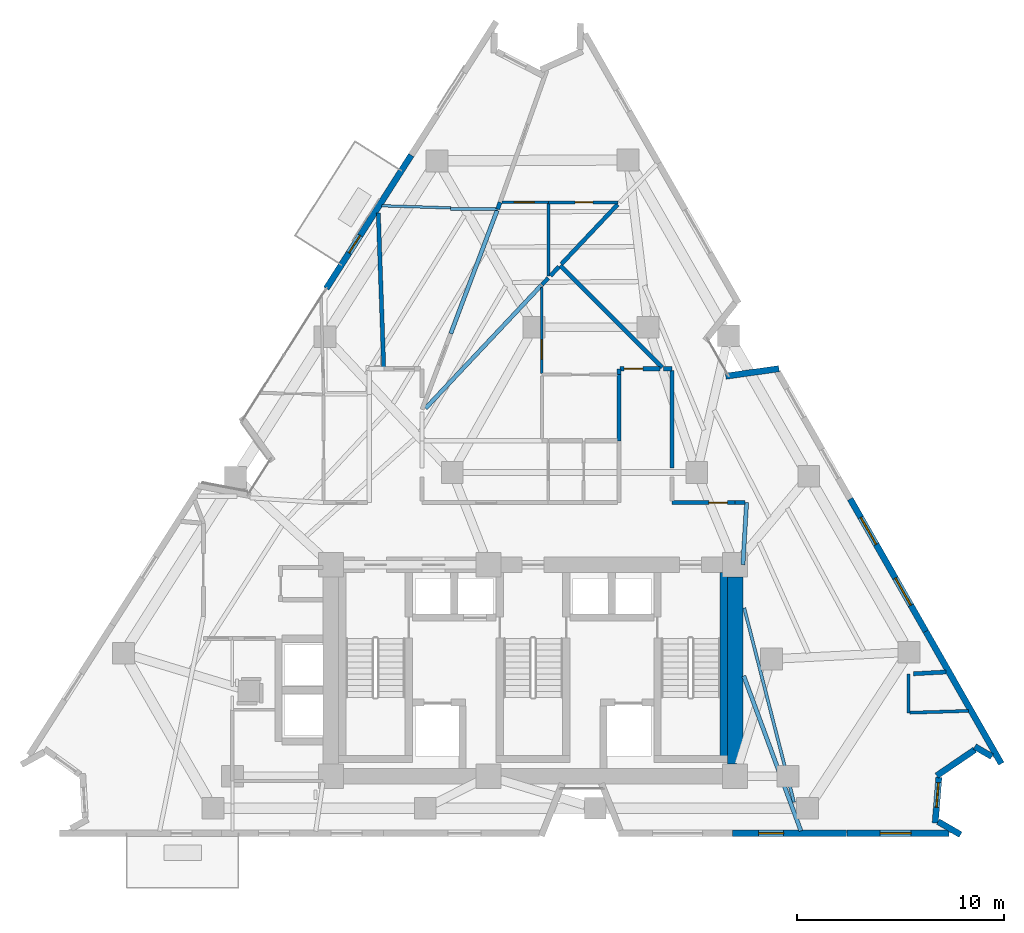
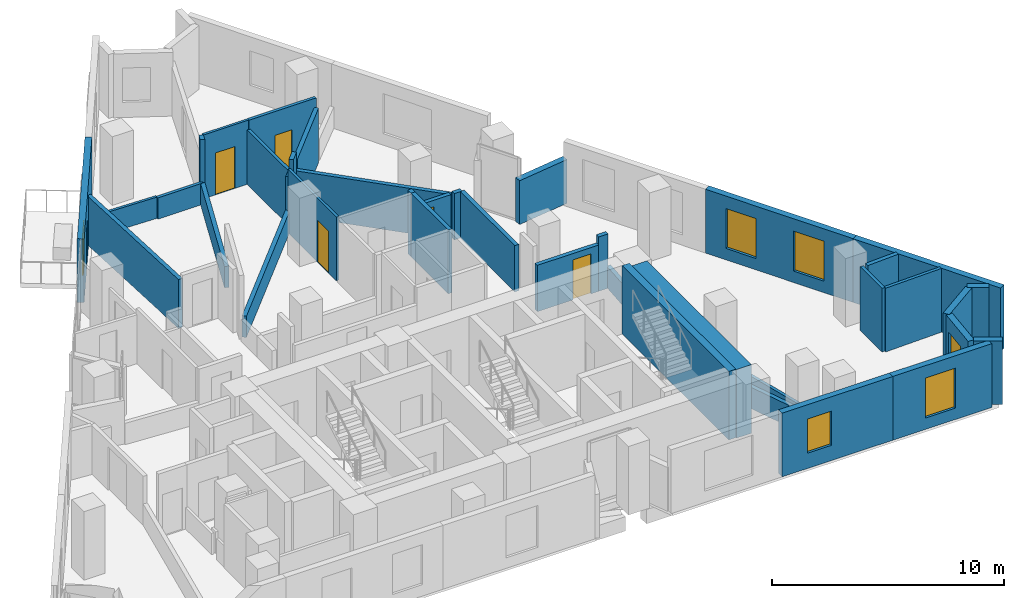
# One storey, part 8 of 11: 39 walls, 6 doors, 5 windows, 11 openings.
"""IFC4 building model written with IfcOpenShell, lengths in metres."""

from ifc_helpers import new_model, si_unit, direction, frame, frame_2d, origin, place, context, subcontext, project, spatial, rectangle, extrude, material, layer, layer_set, type_object, element, fill, save


model = new_model("IFC4")

# Units and contexts
model_context = context("Model", 3, precision=1e-05, world=origin(), true_north=direction((0.0, 1.0)))
body_context = subcontext(model_context, "Body", "Model", "MODEL_VIEW")
ifc_project = project(units=[si_unit("LENGTHUNIT", "METRE"), si_unit("AREAUNIT", "SQUARE_METRE"), si_unit("VOLUMEUNIT", "CUBIC_METRE"), si_unit("PLANEANGLEUNIT", "RADIAN"), si_unit("MASSUNIT", "GRAM", prefix="KILO")], contexts=[model_context])

# Site, building, storey
site_placement = place(None, origin())
site = spatial("IfcSite", under=ifc_project, at=site_placement, CompositionType="ELEMENT")
building_placement = place(site_placement, origin())
building = spatial("IfcBuilding", under=site, at=building_placement, Name="Almagre Mirador Tower", CompositionType="ELEMENT")
storey_placement = place(building_placement, frame((0.0, 0.0, 150.0)))
storey = spatial("IfcBuildingStorey", under=building, at=storey_placement, Name="L38", CompositionType="ELEMENT", Elevation=150.0)

# Wall, opening, door
ifc_material_1 = material(Name="Precast concrete C50/60", Category="concrete")
ifc_layer_1 = layer(ifc_material_1, 0.300048828125)
ifc_layer_set_1 = layer_set([ifc_layer_1], Name="Precast concrete C50/60")
wall_type_1 = type_object("IfcWallType", Name="WAL-EXT-300", PredefinedType="SOLIDWALL", material=ifc_layer_set_1)
wall_1_placement = place(storey_placement, frame((27.327880859375, 28.0693359375, 0.0), z_axis=(0.0, 0.0, 1.0), x_axis=(0.537125937868, 0.843502060975, 0.0)))
wall_1 = element("IfcWall", 1, at=wall_1_placement, inside=storey, type_object=wall_type_1, Name="L38 expressed almagre precast frame wall 03", PredefinedType="SOLIDWALL", context=body_context, shape_type="SweptSolid", body=[
    extrude(rectangle(XDim=7.631591796875, YDim=0.300048828125, at=frame_2d((3.81591796875, 0.0))), origin(), (0.0, 0.0, 1.0), 3.35009765625),
])
opening_1_placement = place(wall_1_placement, frame((2.038330078125, 0.0, 0.0)))
opening_1 = element("IfcOpeningElement", 2, at=opening_1_placement, cuts=wall_1, Name="Opening BD-01", PredefinedType="OPENING", context=body_context, shape_type="SweptSolid", body=[
    extrude(rectangle(XDim=1.0, YDim=2.199951171875, at=frame_2d((0.5, 1.10009765625))), frame((0.0, 0.159902, 0.0), z_axis=(0.0, -1.0, 0.0), x_axis=(1.0, 0.0, 0.0)), (0.0, 0.0, 1.0), 0.320049),
])
ifc_material_2 = material(Name="Black anodized aluminium and laminated glass", Category="aluminium")
door_type_1 = type_object("IfcDoorType", Name="DOR-BAL-1000X2200", OperationType="NOTDEFINED", PredefinedType="DOOR", material=ifc_material_2)
door_1_placement = place(opening_1_placement, origin())
door_1 = element("IfcDoor", 3, at=door_1_placement, inside=storey, type_object=door_type_1, Name="DR-1227 L38 west balcony glazed door 2", OperationType="SINGLE_SWING_RIGHT", OverallHeight=2.199951171875, OverallWidth=1.0, PredefinedType="DOOR", context=body_context, shape_type="SweptSolid", body=[
    extrude(rectangle(XDim=1.0, YDim=2.199951171875, at=frame_2d((0.5, 1.10009765625))), frame((0.0, 0.02490234375, 0.0), z_axis=(0.0, -1.0, 0.0), x_axis=(1.0, 0.0, 0.0)), (0.0, 0.0, 1.0), 0.050048828125),
])
fill(opening_1, door_1)

# Wall
wall_2_placement = place(storey_placement, frame((46.593505859375, 23.843505859375, 0.0), z_axis=(0.0, 0.0, 1.0), x_axis=(0.990207636063, 0.139602426493, 0.0)))
element("IfcWall", 4, at=wall_2_placement, inside=storey, type_object=wall_type_1, Name="L38 expressed almagre precast frame wall 12", PredefinedType="SOLIDWALL", context=body_context, shape_type="SweptSolid", body=[
    extrude(rectangle(XDim=2.593505859375, YDim=0.300048828125, at=frame_2d((1.296875, 0.0))), origin(), (0.0, 0.0, 1.0), 2.300048828125),
])

# Wall, openings, windows
wall_3_placement = place(storey_placement, frame((52.597900390625, 17.922607421875, 0.0), z_axis=(0.0, 0.0, 1.0), x_axis=(0.495698993586, -0.868494391322, 0.0)))
wall_3 = element("IfcWall", 5, at=wall_3_placement, inside=storey, type_object=wall_type_1, Name="L38 expressed almagre precast frame wall 14", PredefinedType="SOLIDWALL", context=body_context, shape_type="SweptSolid", body=[
    extrude(rectangle(XDim=7.351806640625, YDim=0.300048828125, at=frame_2d((3.67578125, 0.0))), origin(), (0.0, 0.0, 1.0), 3.35009765625),
])
opening_2_placement = place(wall_3_placement, frame((1.02490234375, 0.0, 0.60009765625)))
opening_2 = element("IfcOpeningElement", 6, at=opening_2_placement, cuts=wall_3, Name="Opening WN-03", PredefinedType="OPENING", context=body_context, shape_type="SweptSolid", body=[
    extrude(rectangle(XDim=1.5, YDim=2.10009765625, at=frame_2d((0.75, 1.050048828125))), frame((0.0, 0.159902, 0.0), z_axis=(0.0, -1.0, 0.0), x_axis=(1.0, 0.0, 0.0)), (0.0, 0.0, 1.0), 0.320049),
])
opening_3_placement = place(wall_3_placement, frame((4.39990234375, 0.0, 0.60009765625)))
opening_3 = element("IfcOpeningElement", 7, at=opening_3_placement, cuts=wall_3, Name="Opening WN-03", PredefinedType="OPENING", context=body_context, shape_type="SweptSolid", body=[
    extrude(rectangle(XDim=1.5, YDim=2.10009765625, at=frame_2d((0.75, 1.050048828125))), frame((0.0, 0.159902, 0.0), z_axis=(0.0, -1.0, 0.0), x_axis=(1.0, 0.0, 0.0)), (0.0, 0.0, 1.0), 0.320049),
])
ifc_material_3 = material(Name="Dark solar-control laminated hurricane glass", Category="glass")
window_type_1 = type_object("IfcWindowType", Name="WIN-1500X2100", PartitioningType="DOUBLE_PANEL_VERTICAL", PredefinedType="WINDOW", material=ifc_material_3)
window_1_placement = place(opening_2_placement, origin())
window_1 = element("IfcWindow", 8, at=window_1_placement, inside=storey, type_object=window_type_1, Name="L38 recessed hurricane window L38-UE-LV", OverallHeight=2.10009765625, OverallWidth=1.5, PartitioningType="SINGLE_PANEL", PredefinedType="WINDOW", context=body_context, shape_type="SweptSolid", body=[
    extrude(rectangle(XDim=1.5, YDim=2.10009765625, at=frame_2d((0.75, 1.050048828125))), frame((0.0, 0.030029296875, 0.0), z_axis=(0.0, -1.0, 0.0), x_axis=(1.0, 0.0, 0.0)), (0.0, 0.0, 1.0), 0.06005859375),
])
fill(opening_2, window_1)
window_2_placement = place(opening_3_placement, origin())
window_2 = element("IfcWindow", 9, at=window_2_placement, inside=storey, type_object=window_type_1, Name="L38 recessed hurricane window L38-UE-MB", OverallHeight=2.10009765625, OverallWidth=1.5, PartitioningType="SINGLE_PANEL", PredefinedType="WINDOW", context=body_context, shape_type="SweptSolid", body=[
    extrude(rectangle(XDim=1.5, YDim=2.10009765625, at=frame_2d((0.75, 1.050048828125))), frame((0.0, 0.030029296875, 0.0), z_axis=(0.0, -1.0, 0.0), x_axis=(1.0, 0.0, 0.0)), (0.0, 0.0, 1.0), 0.06005859375),
])
fill(opening_3, window_2)

# Walls
wall_4_placement = place(storey_placement, frame((56.2421875, 11.53759765625, 0.0), z_axis=(0.0, 0.0, 1.0), x_axis=(0.495684697404, -0.868502550808, 0.0)))
element("IfcWall", 10, at=wall_4_placement, inside=storey, type_object=wall_type_1, Name="L38 expressed almagre precast frame wall 15", PredefinedType="SOLIDWALL", context=body_context, shape_type="SweptSolid", body=[
    extrude(rectangle(XDim=7.35205078125, YDim=0.300048828125, at=frame_2d((3.676025390625, 0.0))), origin(), (0.0, 0.0, 1.0), 3.35009765625),
])
wall_5_placement = place(storey_placement, frame((59.432373046875, 5.49755859375, 0.0), z_axis=(0.0, 0.0, 1.0), x_axis=(-0.864584698218, 0.502487113871, 0.0)))
element("IfcWall", 11, at=wall_5_placement, inside=storey, type_object=wall_type_1, Name="L38 expressed almagre precast frame wall 16", PredefinedType="SOLIDWALL", context=body_context, shape_type="SweptSolid", body=[
    extrude(rectangle(XDim=0.954833984375, YDim=0.300048828125, at=frame_2d((0.4775390625, 0.0))), origin(), (0.0, 0.0, 1.0), 3.35009765625),
])
wall_6_placement = place(storey_placement, frame((58.6083984375, 5.8251953125, 0.0), z_axis=(0.0, 0.0, 1.0), x_axis=(-0.8261738865, -0.563415219234, 0.0)))
element("IfcWall", 12, at=wall_6_placement, inside=storey, type_object=wall_type_1, Name="L38 expressed almagre precast frame wall 17", PredefinedType="SOLIDWALL", context=body_context, shape_type="SweptSolid", body=[
    extrude(rectangle(XDim=2.222412109375, YDim=0.300048828125, at=frame_2d((1.111328125, 0.0))), origin(), (0.0, 0.0, 1.0), 3.35009765625),
])

# Wall, opening, window
wall_7_placement = place(storey_placement, frame((56.8759765625, 4.50244140625, 0.0), z_axis=(0.0, 0.0, 1.0), x_axis=(-0.079981668757, -0.996796334595, 0.0)))
wall_7 = element("IfcWall", 13, at=wall_7_placement, inside=storey, type_object=wall_type_1, Name="L38 expressed almagre precast frame wall 18", PredefinedType="SOLIDWALL", context=body_context, shape_type="SweptSolid", body=[
    extrude(rectangle(XDim=2.216064453125, YDim=0.300048828125, at=frame_2d((1.10791015625, 0.0))), origin(), (0.0, 0.0, 1.0), 3.35009765625),
])
opening_4_placement = place(wall_7_placement, frame((0.260009765625, 0.0, 0.800048828125)))
opening_4 = element("IfcOpeningElement", 14, at=opening_4_placement, cuts=wall_7, Name="Opening WN-04", PredefinedType="OPENING", context=body_context, shape_type="SweptSolid", body=[
    extrude(rectangle(XDim=1.199951171875, YDim=1.800048828125, at=frame_2d((0.60009765625, 0.89990234375))), frame((0.0, 0.159902, 0.0), z_axis=(0.0, -1.0, 0.0), x_axis=(1.0, 0.0, 0.0)), (0.0, 0.0, 1.0), 0.320049),
])
ifc_material_4 = material(Name="Dark solar-control laminated hurricane glass", Category="glass")
window_type_2 = type_object("IfcWindowType", Name="WIN-1200X1800", PartitioningType="SINGLE_PANEL", PredefinedType="WINDOW", material=ifc_material_4)
window_3_placement = place(opening_4_placement, origin())
window_3 = element("IfcWindow", 15, at=window_3_placement, inside=storey, type_object=window_type_2, Name="L38 recessed hurricane window L38-UD-ST", OverallHeight=1.800048828125, OverallWidth=1.199951171875, PartitioningType="SINGLE_PANEL", PredefinedType="WINDOW", context=body_context, shape_type="SweptSolid", body=[
    extrude(rectangle(XDim=1.199951171875, YDim=1.800048828125, at=frame_2d((0.60009765625, 0.89990234375))), frame((0.0, 0.030029296875, 0.0), z_axis=(0.0, -1.0, 0.0), x_axis=(1.0, 0.0, 0.0)), (0.0, 0.0, 1.0), 0.06005859375),
])
fill(opening_4, window_3)

# Wall
wall_8_placement = place(storey_placement, frame((56.83544921875, 2.360107421875, 0.0), z_axis=(0.0, 0.0, 1.0), x_axis=(0.864799842676, -0.502116751471, 0.0)))
element("IfcWall", 16, at=wall_8_placement, inside=storey, type_object=wall_type_1, Name="L38 expressed almagre precast frame wall 19", PredefinedType="SOLIDWALL", context=body_context, shape_type="SweptSolid", body=[
    extrude(rectangle(XDim=1.25537109375, YDim=0.300048828125, at=frame_2d((0.627685546875, 0.0))), origin(), (0.0, 0.0, 1.0), 3.35009765625),
])

# Wall, opening, window
wall_9_placement = place(storey_placement, frame((57.35498046875, 1.800048828125, 0.0), z_axis=(0.0, 0.0, 1.0), x_axis=(-1.0, 0.0, 0.0)))
wall_9 = element("IfcWall", 17, at=wall_9_placement, inside=storey, type_object=wall_type_1, Name="L38 expressed almagre precast frame wall 20", PredefinedType="SOLIDWALL", context=body_context, shape_type="SweptSolid", body=[
    extrude(rectangle(XDim=4.923095703125, YDim=0.300048828125, at=frame_2d((2.46142578125, 0.0))), origin(), (0.0, 0.0, 1.0), 3.35009765625),
])
opening_5_placement = place(wall_9_placement, frame((1.81494140625, 0.0, 0.60009765625)))
opening_5 = element("IfcOpeningElement", 18, at=opening_5_placement, cuts=wall_9, Name="Opening WN-03", PredefinedType="OPENING", context=body_context, shape_type="SweptSolid", body=[
    extrude(rectangle(XDim=1.5, YDim=2.10009765625, at=frame_2d((0.75, 1.050048828125))), frame((0.0, 0.159902, 0.0), z_axis=(0.0, -1.0, 0.0), x_axis=(1.0, 0.0, 0.0)), (0.0, 0.0, 1.0), 0.320049),
])
window_4_placement = place(opening_5_placement, origin())
window_4 = element("IfcWindow", 19, at=window_4_placement, inside=storey, type_object=window_type_1, Name="L38 recessed hurricane window L38-UD-ST", OverallHeight=2.10009765625, OverallWidth=1.5, PartitioningType="SINGLE_PANEL", PredefinedType="WINDOW", context=body_context, shape_type="SweptSolid", body=[
    extrude(rectangle(XDim=1.5, YDim=2.10009765625, at=frame_2d((0.75, 1.050048828125))), frame((0.0, 0.030029296875, 0.0), z_axis=(0.0, -1.0, 0.0), x_axis=(1.0, 0.0, 0.0)), (0.0, 0.0, 1.0), 0.06005859375),
])
fill(opening_5, window_4)

wall_10_placement = place(storey_placement, frame((52.431884765625, 1.800048828125, 0.0), z_axis=(0.0, 0.0, 1.0), x_axis=(-1.0, 0.0, 0.0)))
wall_10 = element("IfcWall", 20, at=wall_10_placement, inside=storey, type_object=wall_type_1, Name="L38 expressed almagre precast frame wall 21", PredefinedType="SOLIDWALL", context=body_context, shape_type="SweptSolid", body=[
    extrude(rectangle(XDim=5.5078125, YDim=0.300048828125, at=frame_2d((2.75390625, 0.0))), origin(), (0.0, 0.0, 1.0), 3.35009765625),
])
opening_6_placement = place(wall_10_placement, frame((3.050048828125, 0.0, 0.800048828125)))
opening_6 = element("IfcOpeningElement", 21, at=opening_6_placement, cuts=wall_10, Name="Opening WN-04", PredefinedType="OPENING", context=body_context, shape_type="SweptSolid", body=[
    extrude(rectangle(XDim=1.199951171875, YDim=1.800048828125, at=frame_2d((0.60009765625, 0.89990234375))), frame((0.0, 0.159902, 0.0), z_axis=(0.0, -1.0, 0.0), x_axis=(1.0, 0.0, 0.0)), (0.0, 0.0, 1.0), 0.320049),
])
window_5_placement = place(opening_6_placement, origin())
window_5 = element("IfcWindow", 22, at=window_5_placement, inside=storey, type_object=window_type_2, Name="L38 recessed hurricane window L38-RST-C", OverallHeight=1.800048828125, OverallWidth=1.199951171875, PartitioningType="SINGLE_PANEL", PredefinedType="WINDOW", context=body_context, shape_type="SweptSolid", body=[
    extrude(rectangle(XDim=1.199951171875, YDim=1.800048828125, at=frame_2d((0.60009765625, 0.89990234375))), frame((0.0, 0.030029296875, 0.0), z_axis=(0.0, -1.0, 0.0), x_axis=(1.0, 0.0, 0.0)), (0.0, 0.0, 1.0), 0.06005859375),
])
fill(opening_6, window_5)

# Wall, opening, door
ifc_material_5 = material(Name="Gypsum acoustic stud partition", Category="other")
ifc_layer_2 = layer(ifc_material_5, 0.125)
ifc_layer_set_2 = layer_set([ifc_layer_2], Name="Gypsum acoustic stud partition")
wall_type_2 = type_object("IfcWallType", Name="WAL-PRT-125-UTL", PredefinedType="PARTITIONING", material=ifc_layer_set_2)
wall_11_placement = place(storey_placement, frame((37.72998046875, 28.1298828125, 0.0), z_axis=(0.0, 0.0, 1.0), x_axis=(0.0, -1.0, 0.0)))
wall_11 = element("IfcWall", 23, at=wall_11_placement, inside=storey, type_object=wall_type_2, Name="L38 interior partition 066", PredefinedType="PARTITIONING", context=body_context, shape_type="SweptSolid", body=[
    extrude(rectangle(XDim=4.14990234375, YDim=0.125, at=frame_2d((2.074951171875, 0.0))), origin(), (0.0, 0.0, 1.0), 3.35009765625),
])
opening_7_placement = place(wall_11_placement, frame((2.52197265625, 0.0, 0.0)))
opening_7 = element("IfcOpeningElement", 24, at=opening_7_placement, cuts=wall_11, Name="Opening UD-01", PredefinedType="OPENING", context=body_context, shape_type="SweptSolid", body=[
    extrude(rectangle(XDim=0.949951171875, YDim=2.199951171875, at=frame_2d((0.47509765625, 1.10009765625))), frame((0.0, 0.0725, 0.0), z_axis=(0.0, -1.0, 0.0), x_axis=(1.0, 0.0, 0.0)), (0.0, 0.0, 1.0), 0.145),
])
ifc_material_6 = material(Name="Solid American walnut timber", Category="wood")
door_type_2 = type_object("IfcDoorType", Name="DOR-UNR-950X2200", OperationType="NOTDEFINED", PredefinedType="DOOR", material=ifc_material_6)
door_2_placement = place(opening_7_placement, origin())
door_2 = element("IfcDoor", 25, at=door_2_placement, inside=storey, type_object=door_type_2, Name="DR-1242 L38 interior door L38-UH-ST to L38-UH-KT", OperationType="SINGLE_SWING_LEFT", OverallHeight=2.199951171875, OverallWidth=0.949951171875, PredefinedType="DOOR", context=body_context, shape_type="SweptSolid", body=[
    extrude(rectangle(XDim=0.949951171875, YDim=2.199951171875, at=frame_2d((0.47509765625, 1.10009765625))), frame((0.0, 0.02490234375, 0.0), z_axis=(0.0, -1.0, 0.0), x_axis=(1.0, 0.0, 0.0)), (0.0, 0.0, 1.0), 0.050048828125),
])
fill(opening_7, door_2)

wall_12_placement = place(storey_placement, frame((35.794921875, 32.22998046875, 0.0), z_axis=(0.0, 0.0, 1.0), x_axis=(1.0, 0.0, 0.0)))
wall_12 = element("IfcWall", 26, at=wall_12_placement, inside=storey, type_object=wall_type_2, Name="L38 interior partition 082", PredefinedType="PARTITIONING", context=body_context, shape_type="SweptSolid", body=[
    extrude(rectangle(XDim=2.2451171875, YDim=0.125, at=frame_2d((1.12255859375, 0.0))), origin(), (0.0, 0.0, 1.0), 3.35009765625),
])
opening_8_placement = place(wall_12_placement, frame((0.60498046875, 0.0, 0.0)))
opening_8 = element("IfcOpeningElement", 27, at=opening_8_placement, cuts=wall_12, Name="Opening UD-01", PredefinedType="OPENING", context=body_context, shape_type="SweptSolid", body=[
    extrude(rectangle(XDim=0.949951171875, YDim=2.199951171875, at=frame_2d((0.47509765625, 1.10009765625))), frame((0.0, 0.0725, 0.0), z_axis=(0.0, -1.0, 0.0), x_axis=(1.0, 0.0, 0.0)), (0.0, 0.0, 1.0), 0.145),
])
door_3_placement = place(opening_8_placement, origin())
door_3 = element("IfcDoor", 28, at=door_3_placement, inside=storey, type_object=door_type_2, Name="DR-1245 L38 interior door L38-UL-ST to L38-UL-KT", OperationType="SINGLE_SWING_RIGHT", OverallHeight=2.199951171875, OverallWidth=0.949951171875, PredefinedType="DOOR", context=body_context, shape_type="SweptSolid", body=[
    extrude(rectangle(XDim=0.949951171875, YDim=2.199951171875, at=frame_2d((0.47509765625, 1.10009765625))), frame((0.0, 0.02490234375, 0.0), z_axis=(0.0, -1.0, 0.0), x_axis=(1.0, 0.0, 0.0)), (0.0, 0.0, 1.0), 0.050048828125),
])
fill(opening_8, door_3)

# Walls
wall_13_placement = place(storey_placement, frame((33.330078125, 31.9599609375, 0.0), z_axis=(0.0, 0.0, 1.0), x_axis=(-0.999502585392, 0.03153699088, 0.0)))
element("IfcWall", 29, at=wall_13_placement, inside=storey, type_object=wall_type_2, Name="L38 interior partition 086", PredefinedType="PARTITIONING", context=body_context, shape_type="SweptSolid", body=[
    extrude(rectangle(XDim=3.328857421875, YDim=0.125, at=frame_2d((1.66455078125, 0.0))), origin(), (0.0, 0.0, 1.0), 1.1201171875),
])
ifc_material_7 = material(Name="Gypsum acoustic stud partition", Category="other")
ifc_layer_3 = layer(ifc_material_7, 0.14990234375)
ifc_layer_set_3 = layer_set([ifc_layer_3], Name="Gypsum acoustic stud partition")
wall_type_3 = type_object("IfcWallType", Name="WAL-PRT-150-STD", PredefinedType="PARTITIONING", material=ifc_layer_set_3)
wall_14_placement = place(storey_placement, frame((55.409912109375, 7.610107421875, 0.0), z_axis=(0.0, 0.0, 1.0), x_axis=(0.0, 1.0, 0.0)))
element("IfcWall", 30, at=wall_14_placement, inside=storey, type_object=wall_type_3, Name="L38 interior partition 043", PredefinedType="PARTITIONING", context=body_context, shape_type="SweptSolid", body=[
    extrude(rectangle(XDim=1.8798828125, YDim=0.14990234375, at=frame_2d((0.93994140625, 0.0))), origin(), (0.0, 0.0, 1.0), 3.35009765625),
])
wall_15_placement = place(storey_placement, frame((58.297119140625, 7.698974609375, 0.0), z_axis=(0.0, 0.0, 1.0), x_axis=(-0.999522462189, -0.030900608071, 0.0)))
element("IfcWall", 31, at=wall_15_placement, inside=storey, type_object=wall_type_3, Name="L38 interior partition 046", PredefinedType="PARTITIONING", context=body_context, shape_type="SweptSolid", body=[
    extrude(rectangle(XDim=2.82861328125, YDim=0.14990234375, at=frame_2d((1.414306640625, 0.0))), origin(), (0.0, 0.0, 1.0), 3.35009765625),
])
wall_16_placement = place(storey_placement, frame((35.590087890625, 31.89990234375, 0.0), z_axis=(0.0, 0.0, 1.0), x_axis=(-1.0, 0.0, 0.0)))
element("IfcWall", 32, at=wall_16_placement, inside=storey, type_object=wall_type_3, Name="L38 interior partition 077", PredefinedType="PARTITIONING", context=body_context, shape_type="SweptSolid", body=[
    extrude(rectangle(XDim=2.260009765625, YDim=0.14990234375, at=frame_2d((1.1298828125, 0.0))), origin(), (0.0, 0.0, 1.0), 1.1201171875),
])

# Wall, opening, door
wall_17_placement = place(storey_placement, frame((38.0400390625, 32.22998046875, 0.0), z_axis=(0.0, 0.0, 1.0), x_axis=(1.0, 0.0, 0.0)))
wall_17 = element("IfcWall", 33, at=wall_17_placement, inside=storey, type_object=wall_type_3, Name="L38 interior partition 081", PredefinedType="PARTITIONING", context=body_context, shape_type="SweptSolid", body=[
    extrude(rectangle(XDim=3.35498046875, YDim=0.14990234375, at=frame_2d((1.677490234375, 0.0))), origin(), (0.0, 0.0, 1.0), 3.35009765625),
])
opening_9_placement = place(wall_17_placement, frame((1.294921875, 0.0, 0.0)))
opening_9 = element("IfcOpeningElement", 34, at=opening_9_placement, cuts=wall_17, Name="Opening UD-04", PredefinedType="OPENING", context=body_context, shape_type="SweptSolid", body=[
    extrude(rectangle(XDim=0.85009765625, YDim=2.10009765625, at=frame_2d((0.425048828125, 1.050048828125))), frame((0.0, 0.084951, 0.0), z_axis=(0.0, -1.0, 0.0), x_axis=(1.0, 0.0, 0.0)), (0.0, 0.0, 1.0), 0.169902),
])
ifc_material_8 = material(Name="Moisture-resistant oak timber", Category="wood")
door_type_3 = type_object("IfcDoorType", Name="DOR-UNR-850X2100", OperationType="NOTDEFINED", PredefinedType="DOOR", material=ifc_material_8)
door_4_placement = place(opening_9_placement, origin())
door_4 = element("IfcDoor", 35, at=door_4_placement, inside=storey, type_object=door_type_3, Name="DR-1246 L38 interior door L38-UL-ST to L38-UL-BT", OperationType="SINGLE_SWING_LEFT", OverallHeight=2.10009765625, OverallWidth=0.85009765625, PredefinedType="DOOR", context=body_context, shape_type="SweptSolid", body=[
    extrude(rectangle(XDim=0.85009765625, YDim=2.10009765625, at=frame_2d((0.425048828125, 1.050048828125))), frame((0.0, 0.02490234375, 0.0), z_axis=(0.0, -1.0, 0.0), x_axis=(1.0, 0.0, 0.0)), (0.0, 0.0, 1.0), 0.050048828125),
])
fill(opening_9, door_4)

# Walls
wall_18_placement = place(storey_placement, frame((38.0400390625, 32.169921875, 0.0), z_axis=(0.0, 0.0, 1.0), x_axis=(0.0, -1.0, 0.0)))
element("IfcWall", 36, at=wall_18_placement, inside=storey, type_object=wall_type_3, Name="L38 interior partition 083", PredefinedType="PARTITIONING", context=body_context, shape_type="SweptSolid", body=[
    extrude(rectangle(XDim=3.5048828125, YDim=0.14990234375, at=frame_2d((1.75244140625, 0.0))), origin(), (0.0, 0.0, 1.0), 2.860107421875),
])
wall_19_placement = place(storey_placement, frame((49.885009765625, 3.301025390625, 0.0), z_axis=(0.0, 0.0, 1.0), x_axis=(-0.248241680516, 0.96869813051, 0.0)))
element("IfcWall", 37, at=wall_19_placement, inside=storey, type_object=wall_type_3, Name="L38 interior partition 085", PredefinedType="PARTITIONING", context=body_context, shape_type="SweptSolid", body=[
    extrude(rectangle(XDim=9.667724609375, YDim=0.14990234375, at=frame_2d((4.833984375, 0.0))), origin(), (0.0, 0.0, 1.0), 1.1201171875),
])
ifc_material_9 = material(Name="Gypsum acoustic stud partition", Category="other")
ifc_layer_4 = layer(ifc_material_9, 0.199951171875)
ifc_layer_set_4 = layer_set([ifc_layer_4], Name="Gypsum acoustic stud partition")
wall_type_4 = type_object("IfcWallType", Name="WAL-PRT-200-EI60", PredefinedType="PARTITIONING", material=ifc_layer_set_4)
wall_20_placement = place(storey_placement, frame((47.425048828125, 14.75, 0.0), z_axis=(0.0, 0.0, 1.0), x_axis=(0.058250531515, 0.998301996181, 0.0)))
element("IfcWall", 38, at=wall_20_placement, inside=storey, type_object=wall_type_4, Name="L38 interior partition 005", PredefinedType="PARTITIONING", context=body_context, shape_type="SweptSolid", body=[
    extrude(rectangle(XDim=3.005126953125, YDim=0.199951171875, at=frame_2d((1.50244140625, 0.0))), origin(), (0.0, 0.0, 1.0), 1.1201171875),
])
wall_21_placement = place(storey_placement, frame((47.514892578125, 17.75, 0.0), z_axis=(0.0, 0.0, 1.0), x_axis=(-1.0, 0.0, 0.0)))
element("IfcWall", 39, at=wall_21_placement, inside=storey, type_object=wall_type_4, Name="L38 interior partition 006", PredefinedType="PARTITIONING", context=body_context, shape_type="SweptSolid", body=[
    extrude(rectangle(XDim=0.46484375, YDim=0.199951171875, at=frame_2d((0.232421875, 0.0))), origin(), (0.0, 0.0, 1.0), 2.860107421875),
])

# Wall, opening, door
wall_22_placement = place(storey_placement, frame((47.050048828125, 17.75, 0.0), z_axis=(0.0, 0.0, 1.0), x_axis=(-1.0, 0.0, 0.0)))
wall_22 = element("IfcWall", 40, at=wall_22_placement, inside=storey, type_object=wall_type_4, Name="L38 interior partition 007", PredefinedType="PARTITIONING", context=body_context, shape_type="SweptSolid", body=[
    extrude(rectangle(XDim=3.050048828125, YDim=0.199951171875, at=frame_2d((1.52490234375, 0.0))), origin(), (0.0, 0.0, 1.0), 2.43603515625),
])
opening_10_placement = place(wall_22_placement, frame((0.373779296875, 0.0, 0.0)))
opening_10 = element("IfcOpeningElement", 41, at=opening_10_placement, cuts=wall_22, Name="Opening ID-03", PredefinedType="OPENING", context=body_context, shape_type="SweptSolid", body=[
    extrude(rectangle(XDim=0.89990234375, YDim=2.10009765625, at=frame_2d((0.449951171875, 1.050048828125))), frame((0.0, 0.110098, 0.0), z_axis=(0.0, -1.0, 0.0), x_axis=(1.0, 0.0, 0.0)), (0.0, 0.0, 1.0), 0.219951),
])
ifc_material_10 = material(Name="Fire-rated hollow steel", Category="steel")
door_type_4 = type_object("IfcDoorType", Name="DOR-FD60-900X2100", OperationType="NOTDEFINED", PredefinedType="DOOR", material=ifc_material_10)
door_5_placement = place(opening_10_placement, origin())
door_5 = element("IfcDoor", 42, at=door_5_placement, inside=storey, type_object=door_type_4, Name="DR-1251 L38 interior door L38-RCOR to L38-RST-J", OperationType="SINGLE_SWING_LEFT", OverallHeight=2.10009765625, OverallWidth=0.89990234375, PredefinedType="DOOR", context=body_context, shape_type="SweptSolid", body=[
    extrude(rectangle(XDim=0.89990234375, YDim=2.10009765625, at=frame_2d((0.449951171875, 1.050048828125))), frame((0.0, 0.02490234375, 0.0), z_axis=(0.0, -1.0, 0.0), x_axis=(1.0, 0.0, 0.0)), (0.0, 0.0, 1.0), 0.050048828125),
])
fill(opening_10, door_5)

wall_23_placement = place(storey_placement, frame((43.429931640625, 24.199951171875, 0.0), z_axis=(0.0, 0.0, 1.0), x_axis=(-1.0, 0.0, 0.0)))
wall_23 = element("IfcWall", 43, at=wall_23_placement, inside=storey, type_object=wall_type_4, Name="L38 interior partition 022", PredefinedType="PARTITIONING", context=body_context, shape_type="SweptSolid", body=[
    extrude(rectangle(XDim=1.934814453125, YDim=0.199951171875, at=frame_2d((0.96728515625, 0.0))), origin(), (0.0, 0.0, 1.0), 2.43603515625),
])
opening_11_placement = place(wall_23_placement, frame((0.832275390625, 0.0, 0.0)))
opening_11 = element("IfcOpeningElement", 44, at=opening_11_placement, cuts=wall_23, Name="Opening ID-03", PredefinedType="OPENING", context=body_context, shape_type="SweptSolid", body=[
    extrude(rectangle(XDim=0.89990234375, YDim=2.10009765625, at=frame_2d((0.449951171875, 1.050048828125))), frame((0.0, 0.110098, 0.0), z_axis=(0.0, -1.0, 0.0), x_axis=(1.0, 0.0, 0.0)), (0.0, 0.0, 1.0), 0.219951),
])
door_6_placement = place(opening_11_placement, origin())
door_6 = element("IfcDoor", 45, at=door_6_placement, inside=storey, type_object=door_type_4, Name="DR-1241 L38 interior door L38-RCOR to L38-UH-ST", OperationType="SINGLE_SWING_RIGHT", OverallHeight=2.10009765625, OverallWidth=0.89990234375, PredefinedType="DOOR", context=body_context, shape_type="SweptSolid", body=[
    extrude(rectangle(XDim=0.89990234375, YDim=2.10009765625, at=frame_2d((0.449951171875, 1.050048828125))), frame((0.0, 0.02490234375, 0.0), z_axis=(0.0, -1.0, 0.0), x_axis=(1.0, 0.0, 0.0)), (0.0, 0.0, 1.0), 0.050048828125),
])
fill(opening_11, door_6)

# Walls
wall_24_placement = place(storey_placement, frame((41.449951171875, 24.199951171875, 0.0), z_axis=(0.0, 0.0, 1.0), x_axis=(0.0, -1.0, 0.0)))
element("IfcWall", 46, at=wall_24_placement, inside=storey, type_object=wall_type_4, Name="L38 interior partition 023", PredefinedType="PARTITIONING", context=body_context, shape_type="SweptSolid", body=[
    extrude(rectangle(XDim=0.280029296875, YDim=0.199951171875, at=frame_2d((0.14013671875, 0.0))), origin(), (0.0, 0.0, 1.0), 3.35009765625),
])
wall_25_placement = place(storey_placement, frame((41.449951171875, 23.919921875, 0.0), z_axis=(0.0, 0.0, 1.0), x_axis=(0.0, -1.0, 0.0)))
element("IfcWall", 47, at=wall_25_placement, inside=storey, type_object=wall_type_4, Name="L38 interior partition 024", PredefinedType="PARTITIONING", context=body_context, shape_type="SweptSolid", body=[
    extrude(rectangle(XDim=3.18994140625, YDim=0.199951171875, at=frame_2d((1.594970703125, 0.0))), origin(), (0.0, 0.0, 1.0), 3.35009765625),
])
wall_26_placement = place(storey_placement, frame((44.0, 24.199951171875, 0.0), z_axis=(0.0, 0.0, 1.0), x_axis=(-1.0, 0.0, 0.0)))
element("IfcWall", 48, at=wall_26_placement, inside=storey, type_object=wall_type_4, Name="L38 interior partition 027", PredefinedType="PARTITIONING", context=body_context, shape_type="SweptSolid", body=[
    extrude(rectangle(XDim=0.39990234375, YDim=0.199951171875, at=frame_2d((0.199951171875, 0.0))), origin(), (0.0, 0.0, 1.0), 2.43603515625),
])
wall_27_placement = place(storey_placement, frame((50.222900390625, 1.906982421875, 0.0), z_axis=(0.0, 0.0, 1.0), x_axis=(-0.346155169052, 0.938177274793, 0.0)))
element("IfcWall", 49, at=wall_27_placement, inside=storey, type_object=wall_type_4, Name="L38 interior partition 040", PredefinedType="PARTITIONING", context=body_context, shape_type="SweptSolid", body=[
    extrude(rectangle(XDim=7.97265625, YDim=0.199951171875, at=frame_2d((3.986328125, 0.0))), origin(), (0.0, 0.0, 1.0), 1.1201171875),
])
wall_28_placement = place(storey_placement, frame((57.22607421875, 9.575927734375, 0.0), z_axis=(0.0, 0.0, 1.0), x_axis=(-0.998516931133, -0.05444206316, 0.0)))
element("IfcWall", 50, at=wall_28_placement, inside=storey, type_object=wall_type_4, Name="L38 interior partition 047", PredefinedType="PARTITIONING", context=body_context, shape_type="SweptSolid", body=[
    extrude(rectangle(XDim=1.57861328125, YDim=0.199951171875, at=frame_2d((0.789306640625, 0.0))), origin(), (0.0, 0.0, 1.0), 3.35009765625),
])
wall_29_placement = place(storey_placement, frame((30.097412109375, 24.284912109375, 0.0), z_axis=(0.0, 0.0, 1.0), x_axis=(-0.035014963649, 0.999386788146, 0.0)))
element("IfcWall", 51, at=wall_29_placement, inside=storey, type_object=wall_type_4, Name="L38 interior partition 062", PredefinedType="PARTITIONING", context=body_context, shape_type="SweptSolid", body=[
    extrude(rectangle(XDim=7.439697265625, YDim=0.199951171875, at=frame_2d((3.7197265625, 0.0))), origin(), (0.0, 0.0, 1.0), 2.570068359375),
])
wall_30_placement = place(storey_placement, frame((43.539794921875, 24.260009765625, 0.0), z_axis=(0.0, 0.0, 1.0), x_axis=(-0.707089271826, 0.707124290114, 0.0)))
element("IfcWall", 52, at=wall_30_placement, inside=storey, type_object=wall_type_4, Name="L38 interior partition 067", PredefinedType="PARTITIONING", context=body_context, shape_type="SweptSolid", body=[
    extrude(rectangle(XDim=6.971923828125, YDim=0.199951171875, at=frame_2d((3.48583984375, 0.0))), origin(), (0.0, 0.0, 1.0), 2.3701171875),
])
wall_31_placement = place(storey_placement, frame((38.552001953125, 29.1279296875, 0.0), z_axis=(0.0, 0.0, 1.0), x_axis=(-0.682698223225, -0.730700442045, 0.0)))
element("IfcWall", 53, at=wall_31_placement, inside=storey, type_object=wall_type_4, Name="L38 interior partition 068", PredefinedType="PARTITIONING", context=body_context, shape_type="SweptSolid", body=[
    extrude(rectangle(XDim=0.594970703125, YDim=0.199951171875, at=frame_2d((0.29736328125, 0.0))), origin(), (0.0, 0.0, 1.0), 3.35009765625),
])
wall_32_placement = place(storey_placement, frame((38.0400390625, 28.580078125, 0.0), z_axis=(0.0, 0.0, 1.0), x_axis=(-0.695786383721, -0.718248778786, 0.0)))
element("IfcWall", 54, at=wall_32_placement, inside=storey, type_object=wall_type_4, Name="L38 interior partition 069", PredefinedType="PARTITIONING", context=body_context, shape_type="SweptSolid", body=[
    extrude(rectangle(XDim=0.445556640625, YDim=0.199951171875, at=frame_2d((0.22265625, 0.0))), origin(), (0.0, 0.0, 1.0), 2.860107421875),
])
wall_33_placement = place(storey_placement, frame((37.697509765625, 28.225341796875, 0.0), z_axis=(0.0, 0.0, 1.0), x_axis=(-0.685445151362, -0.728124264445, 0.0)))
element("IfcWall", 55, at=wall_33_placement, inside=storey, type_object=wall_type_4, Name="L38 interior partition 071", PredefinedType="PARTITIONING", context=body_context, shape_type="SweptSolid", body=[
    extrude(rectangle(XDim=8.14013671875, YDim=0.199951171875, at=frame_2d((4.070068359375, 0.0))), origin(), (0.0, 0.0, 1.0), 1.1201171875),
])
wall_34_placement = place(storey_placement, frame((41.3837890625, 32.128173828125, 0.0), z_axis=(0.0, 0.0, 1.0), x_axis=(-0.686445904879, -0.727180871362, 0.0)))
element("IfcWall", 56, at=wall_34_placement, inside=storey, type_object=wall_type_4, Name="L38 interior partition 073", PredefinedType="PARTITIONING", context=body_context, shape_type="SweptSolid", body=[
    extrude(rectangle(XDim=3.95556640625, YDim=0.199951171875, at=frame_2d((1.977783203125, 0.0))), origin(), (0.0, 0.0, 1.0), 2.860107421875),
])
wall_35_placement = place(storey_placement, frame((33.330078125, 25.89990234375, 0.0), z_axis=(0.0, 0.0, 1.0), x_axis=(0.352466793528, 0.935824320832, 0.0)))
element("IfcWall", 57, at=wall_35_placement, inside=storey, type_object=wall_type_4, Name="L38 interior partition 078", PredefinedType="PARTITIONING", context=body_context, shape_type="SweptSolid", body=[
    extrude(rectangle(XDim=6.351806640625, YDim=0.199951171875, at=frame_2d((3.17578125, 0.0))), origin(), (0.0, 0.0, 1.0), 1.1201171875),
])
wall_36_placement = place(storey_placement, frame((35.590087890625, 31.89990234375, 0.0), z_axis=(0.0, 0.0, 1.0), x_axis=(0.341352290296, 0.939935430713, 0.0)))
element("IfcWall", 58, at=wall_36_placement, inside=storey, type_object=wall_type_4, Name="L38 interior partition 080", PredefinedType="PARTITIONING", context=body_context, shape_type="SweptSolid", body=[
    extrude(rectangle(XDim=0.35107421875, YDim=0.199951171875, at=frame_2d((0.175537109375, 0.0))), origin(), (0.0, 0.0, 1.0), 3.35009765625),
])
wall_37_placement = place(storey_placement, frame((44.0, 19.419921875, 0.0), z_axis=(0.0, 0.0, 1.0), x_axis=(0.0, 1.0, 0.0)))
element("IfcWall", 59, at=wall_37_placement, inside=storey, type_object=wall_type_4, Name="L38 interior partition 084", PredefinedType="PARTITIONING", context=body_context, shape_type="SweptSolid", body=[
    extrude(rectangle(XDim=4.7001953125, YDim=0.199951171875, at=frame_2d((2.35009765625, 0.0))), origin(), (0.0, 0.0, 1.0), 2.43603515625),
])
ifc_material_11 = material(Name="Concrete C60/75", Category="concrete")
ifc_layer_5 = layer(ifc_material_11, 0.35009765625)
ifc_layer_set_5 = layer_set([ifc_layer_5], Name="Concrete C60/75")
wall_type_5 = type_object("IfcWallType", Name="WAL-SHF-350", PredefinedType="SOLIDWALL", material=ifc_layer_set_5)
wall_38_placement = place(storey_placement, frame((46.5, 5.199951171875, 0.0), z_axis=(0.0, 0.0, 1.0), x_axis=(0.0, 1.0, 0.0)))
element("IfcWall", 60, at=wall_38_placement, inside=storey, type_object=wall_type_5, Name="L38 shaft wall ST3-E", PredefinedType="SOLIDWALL", context=body_context, shape_type="SweptSolid", body=[
    extrude(rectangle(XDim=9.175048828125, YDim=0.35009765625, at=frame_2d((4.58740234375, 0.0))), origin(), (0.0, 0.0, 1.0), 3.60009765625),
])
ifc_material_12 = material(Name="Concrete C60/75", Category="concrete")
ifc_layer_6 = layer(ifc_material_12, 0.75)
ifc_layer_set_6 = layer_set([ifc_layer_6], Name="Concrete C60/75")
wall_type_6 = type_object("IfcWallType", Name="WAL-SHR-750", PredefinedType="SHEAR", material=ifc_layer_set_6)
wall_39_placement = place(storey_placement, frame((47.050048828125, 5.14990234375, 0.0), z_axis=(0.0, 0.0, 1.0), x_axis=(0.0, 1.0, 0.0)))
element("IfcWall", 61, at=wall_39_placement, inside=storey, type_object=wall_type_6, Name="L38 core shear wall E1", PredefinedType="SHEAR", context=body_context, shape_type="SweptSolid", body=[
    extrude(rectangle(XDim=9.0, YDim=0.75, at=frame_2d((4.5, 0.0))), origin(), (0.0, 0.0, 1.0), 3.60009765625),
])

save(model, "model.ifc")
